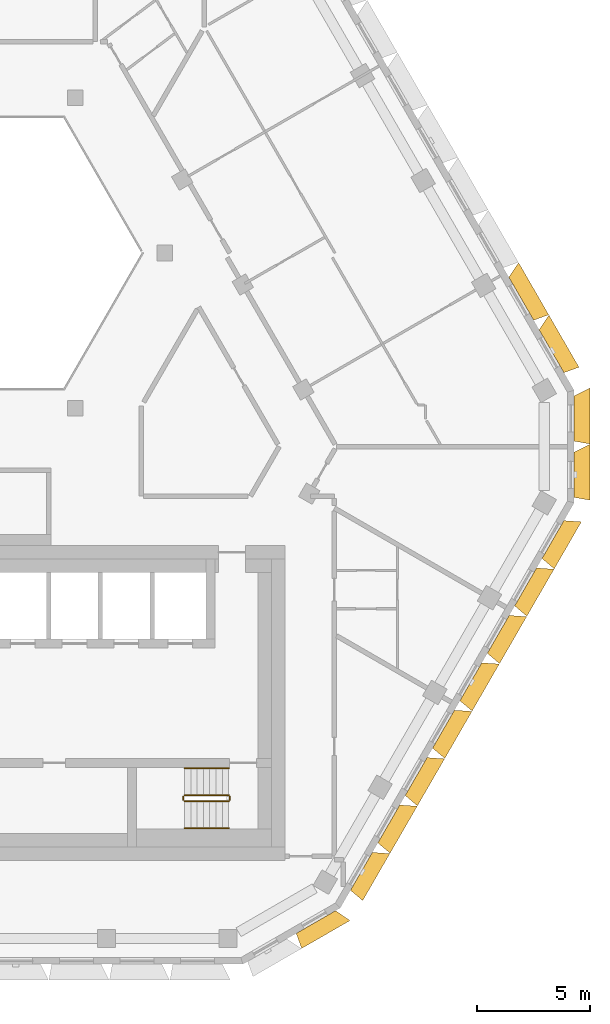
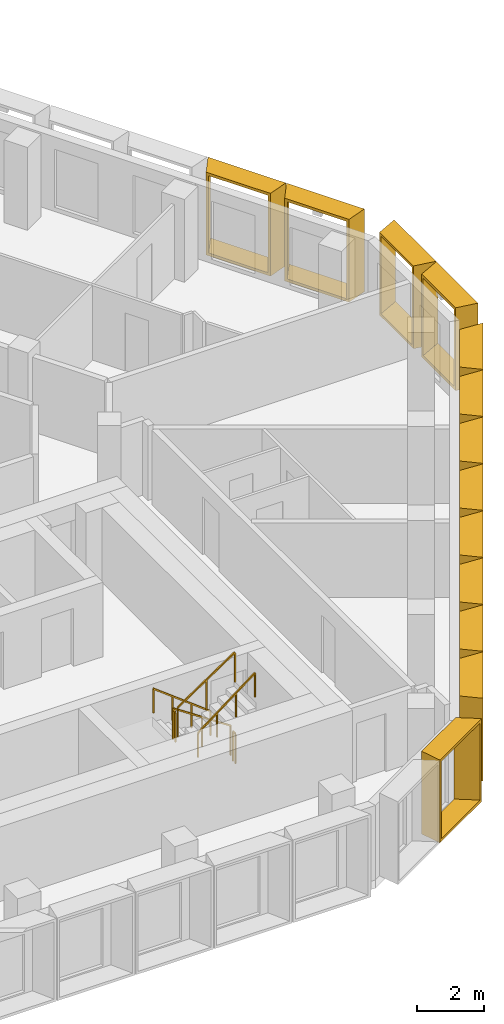
# One storey, part 16 of 17: 13 shading devices, 6 railings.
"""IFC4 building model written with IfcOpenShell, lengths in metres."""

from ifc_helpers import new_model, entity, si_unit, direction, frame, origin, origin_2d, place, context, subcontext, project, spatial, rectangle, extrude, source, transform, mapped, material, type_object, type_shapes, element, save


model = new_model("IFC4")

# Units and contexts
model_context = context("Model", 3, precision=1e-05, world=origin(), true_north=direction((0.0, 1.0)))
body_context = subcontext(model_context, "Body", "Model", "MODEL_VIEW")
ifc_project = project(units=[si_unit("LENGTHUNIT", "METRE"), si_unit("AREAUNIT", "SQUARE_METRE"), si_unit("VOLUMEUNIT", "CUBIC_METRE"), si_unit("PLANEANGLEUNIT", "RADIAN"), si_unit("MASSUNIT", "GRAM", prefix="KILO")], contexts=[model_context])

# Site, building, storey
site_placement = place(None, origin())
site = spatial("IfcSite", under=ifc_project, at=site_placement, CompositionType="ELEMENT")
building_placement = place(site_placement, origin())
building = spatial("IfcBuilding", under=site, at=building_placement, Name="Beryl Residences", CompositionType="ELEMENT")
storey_placement = place(building_placement, frame((0.0, 0.0, 178.199951171875)))
storey = spatial("IfcBuildingStorey", under=building, at=storey_placement, Name="L54", CompositionType="ELEMENT", Elevation=178.199951171875)

# Shading devices
ifc_material_1 = material(Name="Aluminium pale anodised", Category="aluminium")
shading_device_type_1 = type_object("IfcShadingDeviceType", Name="FR243-70C OUTER SKIN frame 700 mm deep, splay 10/26 deg, 2430 x 3000 mm cell", PredefinedType="USERDEFINED", material=ifc_material_1)
cartesian_point_1 = entity("IfcCartesianPoint", [-0.972412109375, 0.0])
cartesian_point_2 = entity("IfcCartesianPoint", [-0.891357421875, 0.10009765625])
cartesian_point_3 = entity("IfcCartesianPoint", [-1.095947265625, 0.0])
cartesian_point_4 = entity("IfcCartesianPoint", [-1.0146484375, 0.10009765625])
shared_shape_1 = source(origin(), body_context, "Body", "SweptSolid", [
    entity("IfcExtrudedAreaSolidTapered", entity("IfcArbitraryProfileDefWithVoids", "AREA", None, entity("IfcPolyline", [cartesian_point_1, entity("IfcCartesianPoint", [0.972412109375, 0.0]), entity("IfcCartesianPoint", [0.972412109375, 3.0]), entity("IfcCartesianPoint", [-0.972412109375, 3.0]), cartesian_point_1]), [entity("IfcPolyline", [cartesian_point_2, entity("IfcCartesianPoint", [0.883544921875, 0.10009765625]), entity("IfcCartesianPoint", [0.883544921875, 2.89990234375]), entity("IfcCartesianPoint", [-0.891357421875, 2.89990234375]), cartesian_point_2])]), entity("IfcAxis2Placement3D", entity("IfcCartesianPoint", [0.0, 0.0, 0.0]), entity("IfcDirection", [0.0, 1.0, 0.0]), entity("IfcDirection", [-1.0, 0.0, 0.0])), entity("IfcDirection", [0.0, 0.0, 1.0]), 0.699951171875, entity("IfcArbitraryProfileDefWithVoids", "AREA", None, entity("IfcPolyline", [cartesian_point_3, entity("IfcCartesianPoint", [1.31396484375, 0.0]), entity("IfcCartesianPoint", [1.31396484375, 3.0]), entity("IfcCartesianPoint", [-1.095947265625, 3.0]), cartesian_point_3]), [entity("IfcPolyline", [cartesian_point_4, entity("IfcCartesianPoint", [1.224853515625, 0.10009765625]), entity("IfcCartesianPoint", [1.224853515625, 2.89990234375]), entity("IfcCartesianPoint", [-1.0146484375, 2.89990234375]), cartesian_point_4])])),
])
type_shapes(shading_device_type_1, [shared_shape_1])
for number, where, z_axis, x_axis, name in (
    (1, (16.700927734375, -19.471923828125, 0.0), (0.0, 0.0, 1.0), (-0.5, -0.866025403784, 0.0), "FR243-70C frame L54 SE 1"),
    (2, (17.9169921875, -17.365966796875, 0.0), (0.0, 0.0, 1.0), (-0.5, -0.866025403784, 0.0), "FR243-70C frame L54 SE 2"),
    (3, (19.133056640625, -15.260009765625, 0.0), (0.0, 0.0, 1.0), (-0.5, -0.866025403784, 0.0), "FR243-70C frame L54 SE 3"),
    (4, (20.34912109375, -13.154052734375, 0.0), (0.0, 0.0, 1.0), (-0.5, -0.866025403784, 0.0), "FR243-70C frame L54 SE 4"),
    (5, (21.56396484375, -11.048095703125, 0.0), (0.0, 0.0, 1.0), (-0.5, -0.866025403784, 0.0), "FR243-70C frame L54 SE 5"),
    (6, (22.780029296875, -8.94189453125, 0.0), (0.0, 0.0, 1.0), (-0.5, -0.866025403784, 0.0), "FR243-70C frame L54 SE 6"),
    (7, (23.99609375, -6.8349609375, 0.0), (0.0, 0.0, 1.0), (-0.5, -0.866025403784, 0.0), "FR243-70C frame L54 SE 7"),
    (8, (25.2119140625, -4.72900390625, 0.0), (0.0, 0.0, 1.0), (-0.5, -0.866025403784, 0.0), "FR243-70C frame L54 SE 8"),
):
    element("IfcShadingDevice", number, at=place(storey_placement, frame(where, z_axis=z_axis, x_axis=x_axis)), inside=storey, type_object=shading_device_type_1, Name=name, ObjectType="OUTER SKIN", PredefinedType="USERDEFINED", context=body_context, shape_type="MappedRepresentation", body=[
        mapped(shared_shape_1, transform((0.0, 0.0, 0.0))),
    ])
ifc_material_2 = material(Name="Aluminium pale anodised", Category="aluminium")
shading_device_type_2 = type_object("IfcShadingDeviceType", Name="FR250-70C OUTER SKIN frame 700 mm deep, splay 10/26 deg, 2500 x 3000 mm cell", PredefinedType="USERDEFINED", material=ifc_material_2)
cartesian_point_5 = entity("IfcCartesianPoint", [-1.007568359375, 0.0])
cartesian_point_6 = entity("IfcCartesianPoint", [-0.92626953125, 0.10009765625])
cartesian_point_7 = entity("IfcCartesianPoint", [-1.130859375, 0.0])
cartesian_point_8 = entity("IfcCartesianPoint", [-1.0498046875, 0.10009765625])
shared_shape_2 = source(origin(), body_context, "Body", "SweptSolid", [
    entity("IfcExtrudedAreaSolidTapered", entity("IfcArbitraryProfileDefWithVoids", "AREA", None, entity("IfcPolyline", [cartesian_point_5, entity("IfcCartesianPoint", [1.007568359375, 0.0]), entity("IfcCartesianPoint", [1.007568359375, 3.0]), entity("IfcCartesianPoint", [-1.007568359375, 3.0]), cartesian_point_5]), [entity("IfcPolyline", [cartesian_point_6, entity("IfcCartesianPoint", [0.91845703125, 0.10009765625]), entity("IfcCartesianPoint", [0.91845703125, 2.89990234375]), entity("IfcCartesianPoint", [-0.92626953125, 2.89990234375]), cartesian_point_6])]), entity("IfcAxis2Placement3D", entity("IfcCartesianPoint", [0.0, 0.0, 0.0]), entity("IfcDirection", [0.0, 1.0, 0.0]), entity("IfcDirection", [-1.0, 0.0, 0.0])), entity("IfcDirection", [0.0, 0.0, 1.0]), 0.699951171875, entity("IfcArbitraryProfileDefWithVoids", "AREA", None, entity("IfcPolyline", [cartesian_point_7, entity("IfcCartesianPoint", [1.348876953125, 0.0]), entity("IfcCartesianPoint", [1.348876953125, 3.0]), entity("IfcCartesianPoint", [-1.130859375, 3.0]), cartesian_point_7]), [entity("IfcPolyline", [cartesian_point_8, entity("IfcCartesianPoint", [1.260009765625, 0.10009765625]), entity("IfcCartesianPoint", [1.260009765625, 2.89990234375]), entity("IfcCartesianPoint", [-1.0498046875, 2.89990234375]), cartesian_point_8])])),
])
type_shapes(shading_device_type_2, [shared_shape_2])
for number, where, z_axis, x_axis, name in (
    (9, (14.677978515625, -21.72509765625, 0.0), (0.0, 0.0, 1.0), (-0.866025403784, -0.5, 0.0), "FR250-70C frame L54 S-SE 2"),
    (10, (26.154052734375, -1.85009765625, 0.0), (0.0, 0.0, 1.0), (0.0, -1.0, 0.0), "FR250-70C frame L54 SE-NE 1"),
    (11, (26.154052734375, 0.64990234375, 0.0), (0.0, 0.0, 1.0), (0.0, -1.0, 0.0), "FR250-70C frame L54 SE-NE 2"),
):
    element("IfcShadingDevice", number, at=place(storey_placement, frame(where, z_axis=z_axis, x_axis=x_axis)), inside=storey, type_object=shading_device_type_2, Name=name, ObjectType="OUTER SKIN", PredefinedType="USERDEFINED", context=body_context, shape_type="MappedRepresentation", body=[
        mapped(shared_shape_2, transform((0.0, 0.0, 0.0))),
    ])
ifc_material_3 = material(Name="Aluminium pale anodised", Category="aluminium")
shading_device_type_3 = type_object("IfcShadingDeviceType", Name="FR269-70C OUTER SKIN frame 700 mm deep, splay 10/26 deg, 2690 x 3000 mm cell", PredefinedType="USERDEFINED", material=ifc_material_3)
cartesian_point_9 = entity("IfcCartesianPoint", [-1.1025390625, 0.0])
cartesian_point_10 = entity("IfcCartesianPoint", [-1.021240234375, 0.10009765625])
cartesian_point_11 = entity("IfcCartesianPoint", [-1.225830078125, 0.0])
cartesian_point_12 = entity("IfcCartesianPoint", [-1.144775390625, 0.10009765625])
shared_shape_3 = source(origin(), body_context, "Body", "SweptSolid", [
    entity("IfcExtrudedAreaSolidTapered", entity("IfcArbitraryProfileDefWithVoids", "AREA", None, entity("IfcPolyline", [cartesian_point_9, entity("IfcCartesianPoint", [1.1025390625, 0.0]), entity("IfcCartesianPoint", [1.1025390625, 3.0]), entity("IfcCartesianPoint", [-1.1025390625, 3.0]), cartesian_point_9]), [entity("IfcPolyline", [cartesian_point_10, entity("IfcCartesianPoint", [1.013427734375, 0.10009765625]), entity("IfcCartesianPoint", [1.013427734375, 2.89990234375]), entity("IfcCartesianPoint", [-1.021240234375, 2.89990234375]), cartesian_point_10])]), entity("IfcAxis2Placement3D", entity("IfcCartesianPoint", [0.0, 0.0, 0.0]), entity("IfcDirection", [0.0, 1.0, 0.0]), entity("IfcDirection", [-1.0, 0.0, 0.0])), entity("IfcDirection", [0.0, 0.0, 1.0]), 0.699951171875, entity("IfcArbitraryProfileDefWithVoids", "AREA", None, entity("IfcPolyline", [cartesian_point_11, entity("IfcCartesianPoint", [1.44384765625, 0.0]), entity("IfcCartesianPoint", [1.44384765625, 3.0]), entity("IfcCartesianPoint", [-1.225830078125, 3.0]), cartesian_point_11]), [entity("IfcPolyline", [cartesian_point_12, entity("IfcCartesianPoint", [1.35498046875, 0.10009765625]), entity("IfcCartesianPoint", [1.35498046875, 2.89990234375]), entity("IfcCartesianPoint", [-1.144775390625, 2.89990234375]), cartesian_point_12])])),
])
type_shapes(shading_device_type_3, [shared_shape_3])
for number, where, z_axis, x_axis, name in (
    (12, (25.14892578125, 3.639892578125, 0.0), (0.0, 0.0, 1.0), (0.5, -0.866025403784, 0.0), "FR269-70C frame L54 NE 1"),
    (13, (23.802978515625, 5.971923828125, 0.0), (0.0, 0.0, 1.0), (0.5, -0.866025403784, 0.0), "FR269-70C frame L54 NE 2"),
):
    element("IfcShadingDevice", number, at=place(storey_placement, frame(where, z_axis=z_axis, x_axis=x_axis)), inside=storey, type_object=shading_device_type_3, Name=name, ObjectType="OUTER SKIN", PredefinedType="USERDEFINED", context=body_context, shape_type="MappedRepresentation", body=[
        mapped(shared_shape_3, transform((0.0, 0.0, 0.0))),
    ])

# Railings
ifc_material_4 = material(Name="Stainless steel balustrade with glass infill", Category="steel")
railing_type_1 = type_object("IfcRailingType", Name="SG1 stair guard 1100 mm", PredefinedType="GUARDRAIL", material=ifc_material_4)
railing_1_placement = place(storey_placement, frame((10.800048828125, -16.10009765625, 0.1875)))
element("IfcRailing", 14, at=railing_1_placement, inside=storey, type_object=railing_type_1, Name="L54 ST-3 stair guard 1", PredefinedType="GUARDRAIL", context=body_context, shape_type="SweptSolid", body=[
    extrude(rectangle(XDim=0.048095703125, YDim=0.048095703125, at=origin_2d()), frame((0.0, 0.0, 1.076171875), z_axis=(-0.830902050051, 0.0, 0.556418712142), x_axis=(0.0, -1.0, 0.0)), (0.0, 0.0, 1.0), 2.35888671875),
    extrude(rectangle(XDim=0.0419921875, YDim=0.0419921875, at=origin_2d()), origin(), (0.0, 0.0, 1.0), 1.052001953125),
    extrude(rectangle(XDim=0.0419921875, YDim=0.0419921875, at=origin_2d()), frame((-0.97998046875, 0.0, 0.65625)), (0.0, 0.0, 1.0), 1.052001953125),
    extrude(rectangle(XDim=0.0419921875, YDim=0.0419921875, at=origin_2d()), frame((-1.9599609375, 0.0, 1.3125)), (0.0, 0.0, 1.0), 1.052001953125),
])
railing_2_placement = place(storey_placement, frame((8.7900390625, -16.14990234375, 1.5)))
element("IfcRailing", 15, at=railing_2_placement, inside=storey, type_object=railing_type_1, Name="L54 ST-3 stair guard 2", PredefinedType="GUARDRAIL", context=body_context, shape_type="SweptSolid", body=[
    extrude(rectangle(XDim=0.048095703125, YDim=0.048095703125, at=origin_2d()), frame((0.0, 0.0, 1.076171875), z_axis=(0.0, -1.0, 0.0), x_axis=(1.0, 0.0, 0.0)), (0.0, 0.0, 1.0), 0.150146484375),
    extrude(rectangle(XDim=0.0419921875, YDim=0.0419921875, at=origin_2d()), origin(), (0.0, 0.0, 1.0), 1.052001953125),
    extrude(rectangle(XDim=0.0419921875, YDim=0.0419921875, at=origin_2d()), frame((0.0, -0.150146484375, 0.0)), (0.0, 0.0, 1.0), 1.052001953125),
])
railing_3_placement = place(storey_placement, frame((8.840087890625, -16.35009765625, 1.6875)))
element("IfcRailing", 16, at=railing_3_placement, inside=storey, type_object=railing_type_1, Name="L54 ST-3 stair guard 3", PredefinedType="GUARDRAIL", context=body_context, shape_type="SweptSolid", body=[
    extrude(rectangle(XDim=0.048095703125, YDim=0.048095703125, at=origin_2d()), frame((0.0, 0.0, 1.076171875), z_axis=(0.830902050051, 0.0, 0.556418712142), x_axis=(0.0, 1.0, 0.0)), (0.0, 0.0, 1.0), 2.35888671875),
    extrude(rectangle(XDim=0.0419921875, YDim=0.0419921875, at=origin_2d()), origin(), (0.0, 0.0, 1.0), 1.052001953125),
    extrude(rectangle(XDim=0.0419921875, YDim=0.0419921875, at=origin_2d()), frame((0.97998046875, 0.0, 0.65625)), (0.0, 0.0, 1.0), 1.052001953125),
    extrude(rectangle(XDim=0.0419921875, YDim=0.0419921875, at=origin_2d()), frame((1.9599609375, 0.0, 1.3125)), (0.0, 0.0, 1.0), 1.052001953125),
])
railing_4_placement = place(storey_placement, frame((10.85009765625, -16.14990234375, 0.0)))
element("IfcRailing", 17, at=railing_4_placement, inside=storey, type_object=railing_type_1, Name="L54 ST-3 stair guard 4", PredefinedType="GUARDRAIL", context=body_context, shape_type="SweptSolid", body=[
    extrude(rectangle(XDim=0.048095703125, YDim=0.048095703125, at=origin_2d()), frame((0.0, 0.0, 1.076171875), z_axis=(0.0, -1.0, 0.0), x_axis=(1.0, 0.0, 0.0)), (0.0, 0.0, 1.0), 0.150146484375),
    extrude(rectangle(XDim=0.0419921875, YDim=0.0419921875, at=origin_2d()), origin(), (0.0, 0.0, 1.0), 1.052001953125),
    extrude(rectangle(XDim=0.0419921875, YDim=0.0419921875, at=origin_2d()), frame((0.0, -0.150146484375, 0.0)), (0.0, 0.0, 1.0), 1.052001953125),
])
ifc_material_5 = material(Name="Stainless steel handrail", Category="steel")
railing_type_2 = type_object("IfcRailingType", Name="SRL1 stair handrail 900 mm", PredefinedType="HANDRAIL", material=ifc_material_5)
railing_5_placement = place(storey_placement, frame((10.800048828125, -14.89990234375, 0.1875)))
element("IfcRailing", 18, at=railing_5_placement, inside=storey, type_object=railing_type_2, Name="L54 ST-3 stair handrail 1", PredefinedType="HANDRAIL", context=body_context, shape_type="SweptSolid", body=[
    extrude(rectangle(XDim=0.048095703125, YDim=0.048095703125, at=origin_2d()), frame((0.0, 0.0, 0.8759765625), z_axis=(-0.794121922505, 0.0, 0.607758481798), x_axis=(0.0, -1.0, 0.0)), (0.0, 0.0, 1.0), 2.468017578125),
    extrude(rectangle(XDim=0.0419921875, YDim=0.0419921875, at=origin_2d()), origin(), (0.0, 0.0, 1.0), 0.851806640625),
    extrude(rectangle(XDim=0.0419921875, YDim=0.0419921875, at=origin_2d()), frame((-0.6533203125, 0.0, 0.5)), (0.0, 0.0, 1.0), 0.851806640625),
    extrude(rectangle(XDim=0.0419921875, YDim=0.0419921875, at=origin_2d()), frame((-1.306640625, 0.0, 1.0)), (0.0, 0.0, 1.0), 0.851806640625),
    extrude(rectangle(XDim=0.0419921875, YDim=0.0419921875, at=origin_2d()), frame((-1.9599609375, 0.0, 1.5)), (0.0, 0.0, 1.0), 0.851806640625),
])
railing_6_placement = place(storey_placement, frame((8.840087890625, -17.550048828125, 1.6875)))
element("IfcRailing", 19, at=railing_6_placement, inside=storey, type_object=railing_type_2, Name="L54 ST-3 stair handrail 2", PredefinedType="HANDRAIL", context=body_context, shape_type="SweptSolid", body=[
    extrude(rectangle(XDim=0.048095703125, YDim=0.048095703125, at=origin_2d()), frame((0.0, 0.0, 0.8759765625), z_axis=(0.794121922505, 0.0, 0.607758481798), x_axis=(0.0, 1.0, 0.0)), (0.0, 0.0, 1.0), 2.468017578125),
    extrude(rectangle(XDim=0.0419921875, YDim=0.0419921875, at=origin_2d()), origin(), (0.0, 0.0, 1.0), 0.851806640625),
    extrude(rectangle(XDim=0.0419921875, YDim=0.0419921875, at=origin_2d()), frame((0.6533203125, 0.0, 0.5)), (0.0, 0.0, 1.0), 0.851806640625),
    extrude(rectangle(XDim=0.0419921875, YDim=0.0419921875, at=origin_2d()), frame((1.306640625, 0.0, 1.0)), (0.0, 0.0, 1.0), 0.851806640625),
    extrude(rectangle(XDim=0.0419921875, YDim=0.0419921875, at=origin_2d()), frame((1.9599609375, 0.0, 1.5)), (0.0, 0.0, 1.0), 0.851806640625),
])

save(model, "model.ifc")
